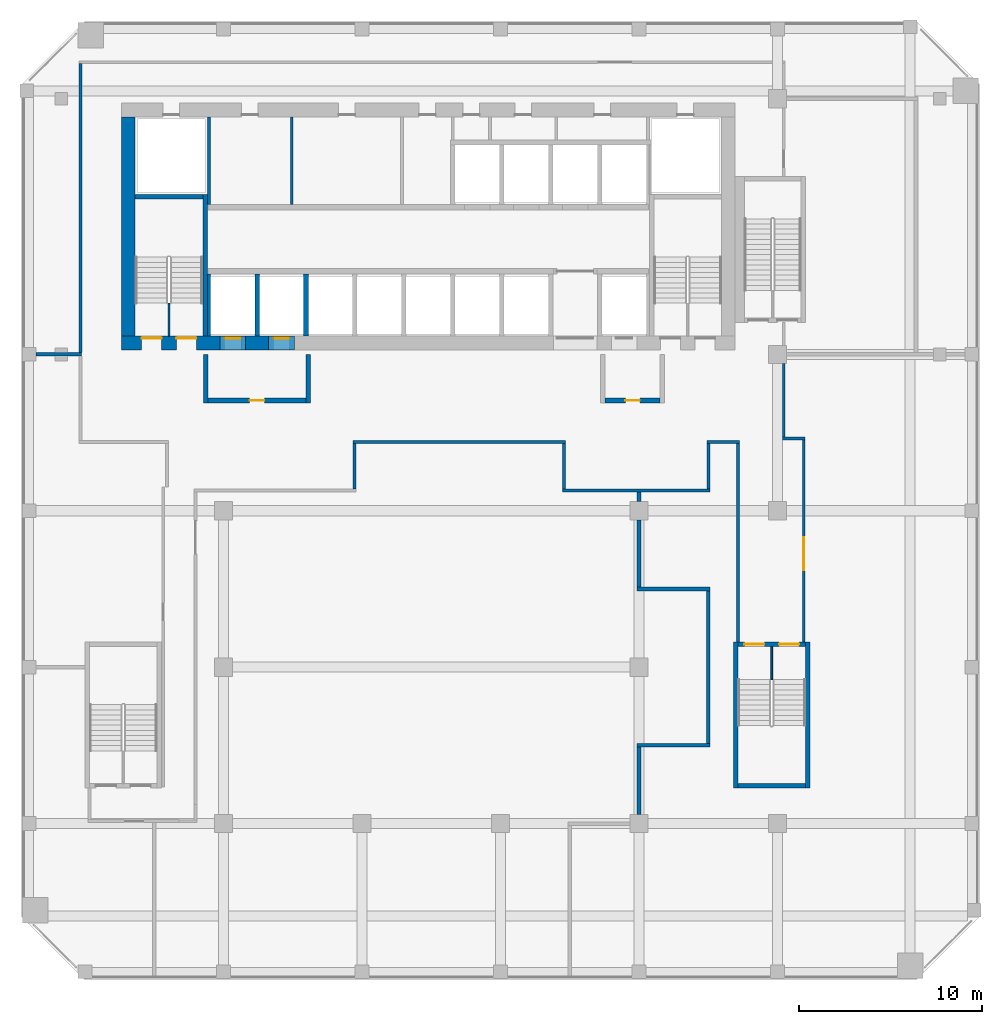
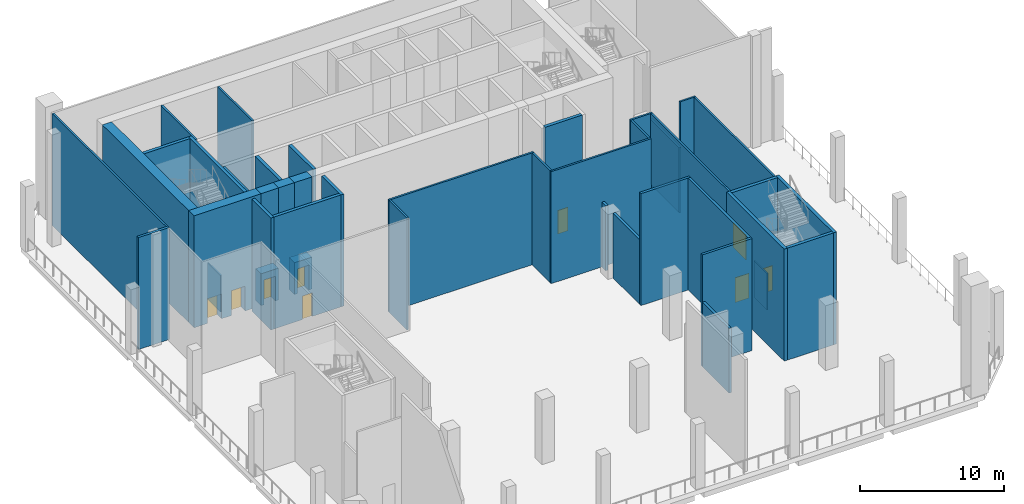
# One storey, part 3 of 12: 42 walls, 9 doors, 9 openings.
"""IFC4 building model written with IfcOpenShell, lengths in metres."""

from ifc_helpers import new_model, si_unit, direction, frame, frame_2d, origin, place, context, subcontext, project, spatial, rectangle, extrude, source, transform, mapped, material, layer, layer_set, type_object, element, fill, save


model = new_model("IFC4")

# Units and contexts
model_context = context("Model", 3, precision=1e-05, world=origin(), true_north=direction((0.0, 1.0)))
body_context = subcontext(model_context, "Body", "Model", "MODEL_VIEW")
ifc_project = project(units=[si_unit("LENGTHUNIT", "METRE"), si_unit("AREAUNIT", "SQUARE_METRE"), si_unit("VOLUMEUNIT", "CUBIC_METRE"), si_unit("PLANEANGLEUNIT", "RADIAN"), si_unit("MASSUNIT", "GRAM", prefix="KILO")], contexts=[model_context])

# Site, building, storey
site_placement = place(None, origin())
site = spatial("IfcSite", under=ifc_project, at=site_placement, CompositionType="ELEMENT")
building_placement = place(site_placement, origin())
building = spatial("IfcBuilding", under=site, at=building_placement, Name="Kilnfold Tower and Market Hall", CompositionType="ELEMENT")
storey_placement = place(building_placement, frame((0.0, 0.0, 223.699951171875)))
storey = spatial("IfcBuildingStorey", under=building, at=storey_placement, Name="L55 Refuge Wind Floor", CompositionType="ELEMENT", Elevation=223.699951171875)

# Walls
ifc_material_1 = material(Name="Gypsum board on steel studs", Category="steel")
ifc_layer_1 = layer(ifc_material_1, 0.14990234375)
ifc_layer_set_1 = layer_set([ifc_layer_1], Name="Gypsum board on steel studs")
wall_type_1 = type_object("IfcWallType", Name="WALL CORRIDOR 150", PredefinedType="PARTITIONING", material=ifc_layer_set_1)
wall_1_placement = place(storey_placement, frame((8.405029296875, 0.550048828125, 0.0), z_axis=(0.0, 0.0, 1.0), x_axis=(1.0, 0.0, 0.0)))
element("IfcWall", 1, at=wall_1_placement, inside=storey, type_object=wall_type_1, Name="Partition LY33.5", PredefinedType="PARTITIONING", context=body_context, shape_type="SweptSolid", body=[
    extrude(rectangle(XDim=8.050048828125, YDim=0.14990234375, at=frame_2d((4.02490234375, 0.0))), origin(), (0.0, 0.0, 1.0), 9.5),
])
wall_2_placement = place(storey_placement, frame((8.47998046875, 3.125, 0.0), z_axis=(0.0, 0.0, 1.0), x_axis=(0.0, -1.0, 0.0)))
element("IfcWall", 2, at=wall_2_placement, inside=storey, type_object=wall_type_1, Name="Partition LY33.6", PredefinedType="PARTITIONING", context=body_context, shape_type="SweptSolid", body=[
    extrude(rectangle(XDim=2.5, YDim=0.14990234375, at=frame_2d((1.25, 0.0))), origin(), (0.0, 0.0, 1.0), 9.5),
])
wall_3_placement = place(storey_placement, frame((-3.074951171875, 3.199951171875, 0.0), z_axis=(0.0, 0.0, 1.0), x_axis=(1.0, 0.0, 0.0)))
element("IfcWall", 3, at=wall_3_placement, inside=storey, type_object=wall_type_1, Name="Partition LY33.7", PredefinedType="PARTITIONING", context=body_context, shape_type="SweptSolid", body=[
    extrude(rectangle(XDim=11.6298828125, YDim=0.14990234375, at=frame_2d((5.81494140625, 0.0))), origin(), (0.0, 0.0, 1.0), 9.5),
])
wall_4_placement = place(storey_placement, frame((-3.0, 0.625, 0.0), z_axis=(0.0, 0.0, 1.0), x_axis=(0.0, 1.0, 0.0)))
element("IfcWall", 4, at=wall_4_placement, inside=storey, type_object=wall_type_1, Name="Partition LY33.8", PredefinedType="PARTITIONING", context=body_context, shape_type="SweptSolid", body=[
    extrude(rectangle(XDim=2.5, YDim=0.14990234375, at=frame_2d((1.25, 0.0))), origin(), (0.0, 0.0, 1.0), 9.5),
])
wall_5_placement = place(storey_placement, frame((20.5, 3.47509765625, 0.0), z_axis=(0.0, 0.0, 1.0), x_axis=(0.0, 1.0, 0.0)))
element("IfcWall", 5, at=wall_5_placement, inside=storey, type_object=wall_type_1, Name="Partition LY33.15", PredefinedType="PARTITIONING", context=body_context, shape_type="SweptSolid", body=[
    extrude(rectangle(XDim=4.02490234375, YDim=0.14990234375, at=frame_2d((2.012451171875, 0.0))), origin(), (0.0, 0.0, 1.0), 5.5),
])
wall_6_placement = place(storey_placement, frame((21.675048828125, 3.39990234375, 0.0), z_axis=(0.0, 0.0, 1.0), x_axis=(-1.0, 0.0, 0.0)))
element("IfcWall", 6, at=wall_6_placement, inside=storey, type_object=wall_type_1, Name="Partition LY33.16", PredefinedType="PARTITIONING", context=body_context, shape_type="SweptSolid", body=[
    extrude(rectangle(XDim=1.25, YDim=0.14990234375, at=frame_2d((0.625, 0.0))), origin(), (0.0, 0.0, 1.0), 9.5),
])

# Wall, opening, door
wall_7_placement = place(storey_placement, frame((21.60009765625, -7.75, 0.0), z_axis=(0.0, 0.0, 1.0), x_axis=(0.0, 1.0, 0.0)))
wall_7 = element("IfcWall", 7, at=wall_7_placement, inside=storey, type_object=wall_type_1, Name="Partition LY33.17", PredefinedType="PARTITIONING", context=body_context, shape_type="SweptSolid", body=[
    extrude(rectangle(XDim=11.074951171875, YDim=0.14990234375, at=frame_2d((5.53759765625, 0.0))), origin(), (0.0, 0.0, 1.0), 9.5),
])
opening_1_placement = place(wall_7_placement, frame((3.931884765625, 0.0, 0.0)))
opening_1 = element("IfcOpeningElement", 8, at=opening_1_placement, cuts=wall_7, Name="Opening D5", PredefinedType="OPENING", context=body_context, shape_type="SweptSolid", body=[
    extrude(rectangle(XDim=1.800048828125, YDim=2.10009765625, at=frame_2d((0.89990234375, 1.050048828125))), frame((0.0, 0.0849609375, 0.0), z_axis=(0.0, -1.0, 0.0), x_axis=(1.0, 0.0, 0.0)), (0.0, 0.0, 1.0), 0.169921875),
])
ifc_material_2 = material(Name="Timber veneer door leaf in steel frame", Category="steel")
door_type_1 = type_object("IfcDoorType", Name="DOOR DOUBLE 1800 X2100", OperationType="NOTDEFINED", PredefinedType="DOOR", material=ifc_material_2)
door_1_placement = place(opening_1_placement, origin())
door_1 = element("IfcDoor", 9, at=door_1_placement, inside=storey, type_object=door_type_1, Name="Door D5", OperationType="DOUBLE_DOOR_SINGLE_SWING", OverallHeight=2.10009765625, OverallWidth=1.800048828125, PredefinedType="DOOR", context=body_context, shape_type="SweptSolid", body=[
    extrude(rectangle(XDim=1.800048828125, YDim=2.10009765625, at=frame_2d((0.89990234375, 1.050048828125))), frame((0.0, 0.02490234375, 0.0), z_axis=(0.0, -1.0, 0.0), x_axis=(1.0, 0.0, 0.0)), (0.0, 0.0, 1.0), 0.050048828125),
])
fill(opening_1, door_1)

# Walls
wall_8_placement = place(storey_placement, frame((18.0, 3.125, 0.0), z_axis=(0.0, 0.0, 1.0), x_axis=(0.0, -1.0, 0.0)))
element("IfcWall", 10, at=wall_8_placement, inside=storey, type_object=wall_type_1, Name="Partition LY33.18", PredefinedType="PARTITIONING", context=body_context, shape_type="SweptSolid", body=[
    extrude(rectangle(XDim=10.875, YDim=0.14990234375, at=frame_2d((5.4375, 0.0))), origin(), (0.0, 0.0, 1.0), 9.5),
])
wall_9_placement = place(storey_placement, frame((16.304931640625, 3.199951171875, 0.0), z_axis=(0.0, 0.0, 1.0), x_axis=(1.0, 0.0, 0.0)))
element("IfcWall", 11, at=wall_9_placement, inside=storey, type_object=wall_type_1, Name="Partition LY33.19", PredefinedType="PARTITIONING", context=body_context, shape_type="SweptSolid", body=[
    extrude(rectangle(XDim=1.77001953125, YDim=0.14990234375, at=frame_2d((0.885009765625, 0.0))), origin(), (0.0, 0.0, 1.0), 9.5),
])
wall_10_placement = place(storey_placement, frame((16.3798828125, 0.625, 0.0), z_axis=(0.0, 0.0, 1.0), x_axis=(0.0, 1.0, 0.0)))
element("IfcWall", 12, at=wall_10_placement, inside=storey, type_object=wall_type_1, Name="Partition LY33.20", PredefinedType="PARTITIONING", context=body_context, shape_type="SweptSolid", body=[
    extrude(rectangle(XDim=2.5, YDim=0.14990234375, at=frame_2d((1.25, 0.0))), origin(), (0.0, 0.0, 1.0), 9.5),
])
wall_11_placement = place(storey_placement, frame((-18.0, 8.090087890625, 0.0), z_axis=(0.0, 0.0, 1.0), x_axis=(0.0, 1.0, 0.0)))
element("IfcWall", 13, at=wall_11_placement, inside=storey, type_object=wall_type_1, Name="Partition LY33.23", PredefinedType="PARTITIONING", context=body_context, shape_type="SweptSolid", body=[
    extrude(rectangle(XDim=15.8349609375, YDim=0.14990234375, at=frame_2d((7.91748046875, 0.0))), origin(), (0.0, 0.0, 1.0), 9.5),
])
ifc_material_3 = material(Name="Gypsum board on steel studs", Category="steel")
ifc_layer_2 = layer(ifc_material_3, 0.199951171875)
ifc_layer_set_2 = layer_set([ifc_layer_2], Name="Gypsum board on steel studs")
wall_type_2 = type_object("IfcWallType", Name="WALL PARTY 200", PredefinedType="PARTITIONING", material=ifc_layer_set_2)
wall_12_placement = place(storey_placement, frame((-20.425048828125, 8.0, 0.0), z_axis=(0.0, 0.0, 1.0), x_axis=(1.0, 0.0, 0.0)))
element("IfcWall", 14, at=wall_12_placement, inside=storey, type_object=wall_type_2, Name="Partition LY33.27", PredefinedType="PARTITIONING", context=body_context, shape_type="SweptSolid", body=[
    extrude(rectangle(XDim=2.498046875, YDim=0.199951171875, at=frame_2d((1.2490234375, 0.0))), origin(), (0.0, 0.0, 1.0), 9.5),
])
wall_13_placement = place(storey_placement, frame((12.5830078125, -0.06201171875, 0.0), z_axis=(0.0, 0.0, 1.0), x_axis=(0.0, 1.0, 0.0)))
element("IfcWall", 15, at=wall_13_placement, inside=storey, type_object=wall_type_2, Name="Partition LY33.29", PredefinedType="PARTITIONING", context=body_context, shape_type="SweptSolid", body=[
    extrude(rectangle(XDim=0.534912109375, YDim=0.199951171875, at=frame_2d((0.267578125, 0.0))), origin(), (0.0, 0.0, 1.0), 5.5),
])
wall_14_placement = place(storey_placement, frame((12.5830078125, -4.742919921875, 0.0), z_axis=(0.0, 0.0, 1.0), x_axis=(0.0, 1.0, 0.0)))
element("IfcWall", 16, at=wall_14_placement, inside=storey, type_object=wall_type_2, Name="Partition LY33.30", PredefinedType="PARTITIONING", context=body_context, shape_type="SweptSolid", body=[
    extrude(rectangle(XDim=3.680908203125, YDim=0.199951171875, at=frame_2d((1.84033203125, 0.0))), origin(), (0.0, 0.0, 1.0), 5.5),
])
wall_15_placement = place(storey_placement, frame((16.47509765625, -4.843017578125, 0.0), z_axis=(0.0, 0.0, 1.0), x_axis=(-1.0, 0.0, 0.0)))
element("IfcWall", 17, at=wall_15_placement, inside=storey, type_object=wall_type_2, Name="Partition LY33.31", PredefinedType="PARTITIONING", context=body_context, shape_type="SweptSolid", body=[
    extrude(rectangle(XDim=3.9921875, YDim=0.199951171875, at=frame_2d((1.99609375, 0.0))), origin(), (0.0, 0.0, 1.0), 9.5),
])
wall_16_placement = place(storey_placement, frame((16.375, -13.305908203125, 0.0), z_axis=(0.0, 0.0, 1.0), x_axis=(0.0, 1.0, 0.0)))
element("IfcWall", 18, at=wall_16_placement, inside=storey, type_object=wall_type_2, Name="Partition LY33.32", PredefinedType="PARTITIONING", context=body_context, shape_type="SweptSolid", body=[
    extrude(rectangle(XDim=8.36279296875, YDim=0.199951171875, at=frame_2d((4.181396484375, 0.0))), origin(), (0.0, 0.0, 1.0), 9.5),
])
wall_17_placement = place(storey_placement, frame((12.48291015625, -13.406005859375, 0.0), z_axis=(0.0, 0.0, 1.0), x_axis=(1.0, 0.0, 0.0)))
element("IfcWall", 19, at=wall_17_placement, inside=storey, type_object=wall_type_2, Name="Partition LY33.33", PredefinedType="PARTITIONING", context=body_context, shape_type="SweptSolid", body=[
    extrude(rectangle(XDim=3.9921875, YDim=0.199951171875, at=frame_2d((1.99609375, 0.0))), origin(), (0.0, 0.0, 1.0), 9.5),
])
wall_18_placement = place(storey_placement, frame((12.5830078125, -17.18701171875, 0.0), z_axis=(0.0, 0.0, 1.0), x_axis=(0.0, 1.0, 0.0)))
element("IfcWall", 20, at=wall_18_placement, inside=storey, type_object=wall_type_2, Name="Partition LY33.34", PredefinedType="PARTITIONING", context=body_context, shape_type="SweptSolid", body=[
    extrude(rectangle(XDim=3.680908203125, YDim=0.199951171875, at=frame_2d((1.84033203125, 0.0))), origin(), (0.0, 0.0, 1.0), 5.5),
])
ifc_material_4 = material(Name="Concrete C60", Category="concrete")
ifc_layer_3 = layer(ifc_material_4, 0.25)
ifc_layer_set_3 = layer_set([ifc_layer_3], Name="Concrete C60")
wall_type_3 = type_object("IfcWallType", Name="CORE WALL 250 C60", PredefinedType="SHEAR", material=ifc_layer_set_3)
shared_shape_1 = source(origin(), body_context, "Body", "SweptSolid", [
    extrude(rectangle(XDim=7.75, YDim=0.25, at=frame_2d((3.875, 0.0))), origin(), (0.0, 0.0, 1.0), 9.5),
])
wall_19_placement = place(storey_placement, frame((-11.175048828125, 9.0, 0.0), z_axis=(0.0, 0.0, 1.0), x_axis=(0.0, 1.0, 0.0)))
element("IfcWall", 21, at=wall_19_placement, inside=storey, type_object=wall_type_3, Name="Stair enclosure ST1", PredefinedType="SHEAR", context=body_context, shape_type="MappedRepresentation", body=[
    mapped(shared_shape_1, transform((0.0, 0.0, 0.0))),
])
shared_shape_2 = source(origin(), body_context, "Body", "SweptSolid", [
    extrude(rectangle(XDim=3.699951171875, YDim=0.25, at=frame_2d((1.85009765625, 0.0))), origin(), (0.0, 0.0, 1.0), 9.5),
])
for number, where, z_axis, x_axis, name in (
    (22, (-15.0, 16.625, 0.0), (0.0, 0.0, 1.0), (1.0, 0.0, 0.0), "Stair enclosure ST1"),
    (23, (18.0, -15.625, 0.0), (0.0, 0.0, 1.0), (1.0, 0.0, 0.0), "Stair enclosure ST4"),
):
    element("IfcWall", number, at=place(storey_placement, frame(where, z_axis=z_axis, x_axis=x_axis)), inside=storey, type_object=wall_type_3, Name=name, PredefinedType="SHEAR", context=body_context, shape_type="MappedRepresentation", body=[
        mapped(shared_shape_2, transform((0.0, 0.0, 0.0))),
    ])

# Wall, openings, doors
wall_20_placement = place(storey_placement, frame((18.0, -7.875, 0.0), z_axis=(0.0, 0.0, 1.0), x_axis=(1.0, 0.0, 0.0)))
wall_20 = element("IfcWall", 24, at=wall_20_placement, inside=storey, type_object=wall_type_3, Name="Stair enclosure ST4", PredefinedType="SHEAR", context=body_context, shape_type="MappedRepresentation", body=[
    mapped(shared_shape_2, transform((0.0, 0.0, 0.0))),
])
opening_2_placement = place(wall_20_placement, frame((2.25, 0.0, 0.0)))
opening_2 = element("IfcOpeningElement", 25, at=opening_2_placement, cuts=wall_20, Name="Opening SD3", PredefinedType="OPENING", context=body_context, shape_type="SweptSolid", body=[
    extrude(rectangle(XDim=1.10009765625, YDim=2.10009765625, at=frame_2d((0.550048828125, 1.050048828125))), frame((0.0, 0.135009765625, 0.0), z_axis=(0.0, -1.0, 0.0), x_axis=(1.0, 0.0, 0.0)), (0.0, 0.0, 1.0), 0.27001953125),
])
opening_3_placement = place(wall_20_placement, frame((0.35009765625, 0.0, 0.0)))
opening_3 = element("IfcOpeningElement", 26, at=opening_3_placement, cuts=wall_20, Name="Opening SD3", PredefinedType="OPENING", context=body_context, shape_type="SweptSolid", body=[
    extrude(rectangle(XDim=1.10009765625, YDim=2.10009765625, at=frame_2d((0.550048828125, 1.050048828125))), frame((0.0, 0.135009765625, 0.0), z_axis=(0.0, -1.0, 0.0), x_axis=(1.0, 0.0, 0.0)), (0.0, 0.0, 1.0), 0.27001953125),
])
ifc_material_5 = material(Name="Steel door set with fire-resisting leaf", Category="steel")
door_type_2 = type_object("IfcDoorType", Name="STAIR REFUGE DOOR 1100X2100", OperationType="NOTDEFINED", PredefinedType="DOOR", material=ifc_material_5)
door_2_placement = place(opening_2_placement, origin())
door_2 = element("IfcDoor", 27, at=door_2_placement, inside=storey, type_object=door_type_2, Name="Exit stair ST4 door from refuge", OperationType="SINGLE_SWING_RIGHT", OverallHeight=2.10009765625, OverallWidth=1.10009765625, PredefinedType="DOOR", context=body_context, shape_type="SweptSolid", body=[
    extrude(rectangle(XDim=1.10009765625, YDim=2.10009765625, at=frame_2d((0.550048828125, 1.050048828125))), frame((0.0, 0.02490234375, 0.0), z_axis=(0.0, -1.0, 0.0), x_axis=(1.0, 0.0, 0.0)), (0.0, 0.0, 1.0), 0.050048828125),
])
fill(opening_2, door_2)
door_3_placement = place(opening_3_placement, origin())
door_3 = element("IfcDoor", 28, at=door_3_placement, inside=storey, type_object=door_type_2, Name="Exit stair ST4 door to refuge", OperationType="SINGLE_SWING_LEFT", OverallHeight=2.10009765625, OverallWidth=1.10009765625, PredefinedType="DOOR", context=body_context, shape_type="SweptSolid", body=[
    extrude(rectangle(XDim=1.10009765625, YDim=2.10009765625, at=frame_2d((0.550048828125, 1.050048828125))), frame((0.0, 0.02490234375, 0.0), z_axis=(0.0, -1.0, 0.0), x_axis=(1.0, 0.0, 0.0)), (0.0, 0.0, 1.0), 0.050048828125),
])
fill(opening_3, door_3)

# Walls
shared_shape_3 = source(origin(), body_context, "Body", "SweptSolid", [
    extrude(rectangle(XDim=8.0, YDim=0.25, at=frame_2d((4.0, 0.0))), origin(), (0.0, 0.0, 1.0), 9.5),
])
for number, where, z_axis, x_axis, name in (
    (29, (17.875, -15.75, 0.0), (0.0, 0.0, 1.0), (0.0, 1.0, 0.0), "Stair enclosure ST4"),
    (30, (21.824951171875, -15.75, 0.0), (0.0, 0.0, 1.0), (0.0, 1.0, 0.0), "Stair enclosure ST4"),
):
    element("IfcWall", number, at=place(storey_placement, frame(where, z_axis=z_axis, x_axis=x_axis)), inside=storey, type_object=wall_type_3, Name=name, PredefinedType="SHEAR", context=body_context, shape_type="MappedRepresentation", body=[
        mapped(shared_shape_3, transform((0.0, 0.0, 0.0))),
    ])

# Wall, openings, doors
ifc_material_6 = material(Name="Concrete C60", Category="concrete")
ifc_layer_4 = layer(ifc_material_6, 0.75)
ifc_layer_set_4 = layer_set([ifc_layer_4], Name="Concrete C60")
wall_type_4 = type_object("IfcWallType", Name="CORE WALL 750 C60", PredefinedType="SHEAR", material=ifc_layer_set_4)
shared_shape_4 = source(origin(), body_context, "Body", "SweptSolid", [
    extrude(rectangle(XDim=5.3798828125, YDim=0.75, at=frame_2d((2.68994140625, 0.0))), origin(), (0.0, 0.0, 1.0), 9.5),
])
wall_21_placement = place(storey_placement, frame((-15.75, 8.625, 0.0), z_axis=(0.0, 0.0, 1.0), x_axis=(1.0, 0.0, 0.0)))
wall_21 = element("IfcWall", 31, at=wall_21_placement, inside=storey, type_object=wall_type_4, Name="Core outer wall south", PredefinedType="SHEAR", context=body_context, shape_type="MappedRepresentation", body=[
    mapped(shared_shape_4, transform((0.0, 0.0, 0.0))),
])
opening_4_placement = place(wall_21_placement, frame((1.10009765625, 0.0, 0.0)))
opening_4 = element("IfcOpeningElement", 32, at=opening_4_placement, cuts=wall_21, Name="Opening SD3", PredefinedType="OPENING", context=body_context, shape_type="SweptSolid", body=[
    extrude(rectangle(XDim=1.10009765625, YDim=2.10009765625, at=frame_2d((0.550048828125, 1.050048828125))), frame((0.0, 0.385009765625, 0.0), z_axis=(0.0, -1.0, 0.0), x_axis=(1.0, 0.0, 0.0)), (0.0, 0.0, 1.0), 0.77001953125),
])
opening_5_placement = place(wall_21_placement, frame((3.0, 0.0, 0.0)))
opening_5 = element("IfcOpeningElement", 33, at=opening_5_placement, cuts=wall_21, Name="Opening SD3", PredefinedType="OPENING", context=body_context, shape_type="SweptSolid", body=[
    extrude(rectangle(XDim=1.10009765625, YDim=2.10009765625, at=frame_2d((0.550048828125, 1.050048828125))), frame((0.0, 0.385009765625, 0.0), z_axis=(0.0, -1.0, 0.0), x_axis=(1.0, 0.0, 0.0)), (0.0, 0.0, 1.0), 0.77001953125),
])
door_4_placement = place(opening_4_placement, origin())
door_4 = element("IfcDoor", 34, at=door_4_placement, inside=storey, type_object=door_type_2, Name="Exit stair ST1 door from refuge", OperationType="SINGLE_SWING_RIGHT", OverallHeight=2.10009765625, OverallWidth=1.10009765625, PredefinedType="DOOR", context=body_context, shape_type="SweptSolid", body=[
    extrude(rectangle(XDim=1.10009765625, YDim=2.10009765625, at=frame_2d((0.550048828125, 1.050048828125))), frame((0.0, 0.27978515625, 0.0), z_axis=(0.0, -1.0, 0.0), x_axis=(1.0, 0.0, 0.0)), (0.0, 0.0, 1.0), 0.050048828125),
])
fill(opening_4, door_4)
door_5_placement = place(opening_5_placement, origin())
door_5 = element("IfcDoor", 35, at=door_5_placement, inside=storey, type_object=door_type_2, Name="Exit stair ST1 door to refuge", OperationType="SINGLE_SWING_LEFT", OverallHeight=2.10009765625, OverallWidth=1.10009765625, PredefinedType="DOOR", context=body_context, shape_type="SweptSolid", body=[
    extrude(rectangle(XDim=1.10009765625, YDim=2.10009765625, at=frame_2d((0.550048828125, 1.050048828125))), frame((0.0, 0.27978515625, 0.0), z_axis=(0.0, -1.0, 0.0), x_axis=(1.0, 0.0, 0.0)), (0.0, 0.0, 1.0), 0.050048828125),
])
fill(opening_5, door_5)

# Walls
shared_shape_5 = source(origin(), body_context, "Body", "SweptSolid", [
    extrude(rectangle(XDim=1.280029296875, YDim=0.75, at=frame_2d((0.64013671875, 0.0))), origin(), (0.0, 0.0, 1.0), 9.5),
])
wall_22_placement = place(storey_placement, frame((-8.969970703125, 8.625, 0.0), z_axis=(0.0, 0.0, 1.0), x_axis=(1.0, 0.0, 0.0)))
element("IfcWall", 36, at=wall_22_placement, inside=storey, type_object=wall_type_4, Name="Core outer wall south", PredefinedType="SHEAR", context=body_context, shape_type="MappedRepresentation", body=[
    mapped(shared_shape_5, transform((0.0, 0.0, 0.0))),
])
shared_shape_6 = source(origin(), body_context, "Body", "SweptSolid", [
    extrude(rectangle(XDim=12.0, YDim=0.75, at=frame_2d((6.0, 0.0))), origin(), (0.0, 0.0, 1.0), 9.5),
])
wall_23_placement = place(storey_placement, frame((-15.375, 9.0, 0.0), z_axis=(0.0, 0.0, 1.0), x_axis=(0.0, 1.0, 0.0)))
element("IfcWall", 37, at=wall_23_placement, inside=storey, type_object=wall_type_4, Name="Core outer wall west", PredefinedType="SHEAR", context=body_context, shape_type="MappedRepresentation", body=[
    mapped(shared_shape_6, transform((0.0, 0.0, 0.0))),
])
shared_shape_7 = source(origin(), body_context, "Body", "SweptSolid", [
    extrude(rectangle(XDim=1.400146484375, YDim=0.75, at=frame_2d((0.7001953125, 0.0))), origin(), (0.0, 0.0, 1.0), 5.599853515625),
])
wall_24_placement = place(storey_placement, frame((-10.3701171875, 8.625, 3.900146484375), z_axis=(0.0, 0.0, 1.0), x_axis=(1.0, 0.0, 0.0)))
element("IfcWall", 38, at=wall_24_placement, inside=storey, type_object=wall_type_4, Name="Core wall over opening", PredefinedType="SHEAR", context=body_context, shape_type="MappedRepresentation", body=[
    mapped(shared_shape_7, transform((0.0, 0.0, 0.0))),
])
shared_shape_8 = source(origin(), body_context, "Body", "SweptSolid", [
    extrude(rectangle(XDim=1.39990234375, YDim=0.75, at=frame_2d((0.699951171875, 0.0))), origin(), (0.0, 0.0, 1.0), 5.550048828125),
])
wall_25_placement = place(storey_placement, frame((-7.68994140625, 8.625, 3.949951171875), z_axis=(0.0, 0.0, 1.0), x_axis=(1.0, 0.0, 0.0)))
element("IfcWall", 39, at=wall_25_placement, inside=storey, type_object=wall_type_4, Name="Core wall over opening", PredefinedType="SHEAR", context=body_context, shape_type="MappedRepresentation", body=[
    mapped(shared_shape_8, transform((0.0, 0.0, 0.0))),
])
ifc_material_7 = material(Name="Gypsum shaft wall system")
ifc_layer_5 = layer(ifc_material_7, 0.25)
ifc_layer_set_5 = layer_set([ifc_layer_5], Name="Gypsum shaft wall system")
wall_type_5 = type_object("IfcWallType", Name="LOBBY WALL 250", PredefinedType="PARTITIONING", material=ifc_layer_set_5)
shared_shape_9 = source(origin(), body_context, "Body", "SweptSolid", [
    extrude(rectangle(XDim=2.64990234375, YDim=0.25, at=frame_2d((1.324951171875, 0.0))), origin(), (0.0, 0.0, 1.0), 9.5),
])
for number, where, z_axis, x_axis, name in (
    (40, (-11.135009765625, 5.35009765625, 0.0), (0.0, 0.0, 1.0), (0.0, 1.0, 0.0), "Firefighting lobby wall"),
    (41, (-5.52490234375, 5.35009765625, 0.0), (0.0, 0.0, 1.0), (0.0, 1.0, 0.0), "Firefighting lobby wall"),
):
    element("IfcWall", number, at=place(storey_placement, frame(where, z_axis=z_axis, x_axis=x_axis)), inside=storey, type_object=wall_type_5, Name=name, PredefinedType="PARTITIONING", context=body_context, shape_type="MappedRepresentation", body=[
        mapped(shared_shape_9, transform((0.0, 0.0, 0.0))),
    ])
ifc_material_8 = material(Name="Gypsum shaft wall system")
ifc_layer_6 = layer(ifc_material_8, 0.1650390625)
ifc_layer_set_6 = layer_set([ifc_layer_6], Name="Gypsum shaft wall system")
wall_type_6 = type_object("IfcWallType", Name="SHAFT WALL 165", PredefinedType="PARTITIONING", material=ifc_layer_set_6)
shared_shape_10 = source(origin(), body_context, "Body", "SweptSolid", [
    extrude(rectangle(XDim=4.800048828125, YDim=0.1650390625, at=frame_2d((2.39990234375, 0.0))), origin(), (0.0, 0.0, 1.0), 9.5),
])
wall_26_placement = place(storey_placement, frame((-10.967529296875, 16.199951171875, 0.0), z_axis=(0.0, 0.0, 1.0), x_axis=(0.0, 1.0, 0.0)))
element("IfcWall", 42, at=wall_26_placement, inside=storey, type_object=wall_type_6, Name="Lift shaft wall", PredefinedType="PARTITIONING", context=body_context, shape_type="MappedRepresentation", body=[
    mapped(shared_shape_10, transform((0.0, 0.0, 0.0))),
])
ifc_material_9 = material(Name="Gypsum shaft wall system")
ifc_layer_7 = layer(ifc_material_9, 0.25)
ifc_layer_set_7 = layer_set([ifc_layer_7], Name="Gypsum shaft wall system")
wall_type_7 = type_object("IfcWallType", Name="SHAFT WALL 250", PredefinedType="PARTITIONING", material=ifc_layer_set_7)
shared_shape_11 = source(origin(), body_context, "Body", "SweptSolid", [
    extrude(rectangle(XDim=3.39990234375, YDim=0.25, at=frame_2d((1.699951171875, 0.0))), origin(), (0.0, 0.0, 1.0), 9.5),
])
for number, where, z_axis, x_axis, name in (
    (43, (-5.64990234375, 9.0, 0.0), (0.0, 0.0, 1.0), (0.0, 1.0, 0.0), "Lift shaft wall"),
    (44, (-8.330078125, 9.0, 0.0), (0.0, 0.0, 1.0), (0.0, 1.0, 0.0), "Lift shaft wall"),
):
    element("IfcWall", number, at=place(storey_placement, frame(where, z_axis=z_axis, x_axis=x_axis)), inside=storey, type_object=wall_type_7, Name=name, PredefinedType="PARTITIONING", context=body_context, shape_type="MappedRepresentation", body=[
        mapped(shared_shape_11, transform((0.0, 0.0, 0.0))),
    ])
shared_shape_12 = source(origin(), body_context, "Body", "SweptSolid", [
    extrude(rectangle(XDim=3.39990234375, YDim=0.1650390625, at=frame_2d((1.699951171875, 0.0))), origin(), (0.0, 0.0, 1.0), 9.5),
])
wall_27_placement = place(storey_placement, frame((-10.967529296875, 9.0, 0.0), z_axis=(0.0, 0.0, 1.0), x_axis=(0.0, 1.0, 0.0)))
element("IfcWall", 45, at=wall_27_placement, inside=storey, type_object=wall_type_6, Name="Lift shaft wall", PredefinedType="PARTITIONING", context=body_context, shape_type="MappedRepresentation", body=[
    mapped(shared_shape_12, transform((0.0, 0.0, 0.0))),
])

# Wall, opening, door
ifc_material_10 = material(Name="Gypsum shaft wall system")
ifc_layer_8 = layer(ifc_material_10, 0.75)
ifc_layer_set_8 = layer_set([ifc_layer_8], Name="Gypsum shaft wall system")
wall_type_8 = type_object("IfcWallType", Name="LOBBY WALL 750", PredefinedType="PARTITIONING", material=ifc_layer_set_8)
shared_shape_13 = source(origin(), body_context, "Body", "SweptSolid", [
    extrude(rectangle(XDim=1.400146484375, YDim=0.75, at=frame_2d((0.7001953125, 0.0))), origin(), (0.0, 0.0, 1.0), 2.699951171875),
])
wall_28_placement = place(storey_placement, frame((-10.3701171875, 8.625, 0.0), z_axis=(0.0, 0.0, 1.0), x_axis=(1.0, 0.0, 0.0)))
wall_28 = element("IfcWall", 46, at=wall_28_placement, inside=storey, type_object=wall_type_8, Name="Core wall infill", PredefinedType="PARTITIONING", context=body_context, shape_type="MappedRepresentation", body=[
    mapped(shared_shape_13, transform((0.0, 0.0, 0.0))),
])
opening_6_placement = place(wall_28_placement, frame((0.25, 0.0, 0.0)))
opening_6 = element("IfcOpeningElement", 47, at=opening_6_placement, cuts=wall_28, Name="Opening LD1", PredefinedType="OPENING", context=body_context, shape_type="SweptSolid", body=[
    extrude(rectangle(XDim=0.89990234375, YDim=2.10009765625, at=frame_2d((0.449951171875, 1.050048828125))), frame((0.0, 0.385009765625, 0.0), z_axis=(0.0, -1.0, 0.0), x_axis=(1.0, 0.0, 0.0)), (0.0, 0.0, 1.0), 0.77001953125),
])
ifc_material_11 = material(Name="Steel door set with fire-resisting leaf", Category="steel")
door_type_3 = type_object("IfcDoorType", Name="FIREFIGHTING LANDING DOOR 900X2100", OperationType="NOTDEFINED", PredefinedType="DOOR", material=ifc_material_11)
door_6_placement = place(opening_6_placement, origin())
door_6 = element("IfcDoor", 48, at=door_6_placement, inside=storey, type_object=door_type_3, Name="Landing door FF1", OperationType="SLIDING_TO_LEFT", OverallHeight=2.10009765625, OverallWidth=0.89990234375, PredefinedType="DOOR", context=body_context, shape_type="SweptSolid", body=[
    extrude(rectangle(XDim=0.89990234375, YDim=2.10009765625, at=frame_2d((0.449951171875, 1.050048828125))), frame((0.0, 0.27978515625, 0.0), z_axis=(0.0, -1.0, 0.0), x_axis=(1.0, 0.0, 0.0)), (0.0, 0.0, 1.0), 0.050048828125),
])
fill(opening_6, door_6)

shared_shape_14 = source(origin(), body_context, "Body", "SweptSolid", [
    extrude(rectangle(XDim=1.39990234375, YDim=0.75, at=frame_2d((0.699951171875, 0.0))), origin(), (0.0, 0.0, 1.0), 2.699951171875),
])
wall_29_placement = place(storey_placement, frame((-7.68994140625, 8.625, 0.0), z_axis=(0.0, 0.0, 1.0), x_axis=(1.0, 0.0, 0.0)))
wall_29 = element("IfcWall", 49, at=wall_29_placement, inside=storey, type_object=wall_type_8, Name="Core wall infill", PredefinedType="PARTITIONING", context=body_context, shape_type="MappedRepresentation", body=[
    mapped(shared_shape_14, transform((0.0, 0.0, 0.0))),
])
opening_7_placement = place(wall_29_placement, frame((0.25, 0.0, 0.0)))
opening_7 = element("IfcOpeningElement", 50, at=opening_7_placement, cuts=wall_29, Name="Opening LD1", PredefinedType="OPENING", context=body_context, shape_type="SweptSolid", body=[
    extrude(rectangle(XDim=0.89990234375, YDim=2.10009765625, at=frame_2d((0.449951171875, 1.050048828125))), frame((0.0, 0.385009765625, 0.0), z_axis=(0.0, -1.0, 0.0), x_axis=(1.0, 0.0, 0.0)), (0.0, 0.0, 1.0), 0.77001953125),
])
door_7_placement = place(opening_7_placement, origin())
door_7 = element("IfcDoor", 51, at=door_7_placement, inside=storey, type_object=door_type_3, Name="Landing door FF2", OperationType="SLIDING_TO_RIGHT", OverallHeight=2.10009765625, OverallWidth=0.89990234375, PredefinedType="DOOR", context=body_context, shape_type="SweptSolid", body=[
    extrude(rectangle(XDim=0.89990234375, YDim=2.10009765625, at=frame_2d((0.449951171875, 1.050048828125))), frame((0.0, 0.27978515625, 0.0), z_axis=(0.0, -1.0, 0.0), x_axis=(1.0, 0.0, 0.0)), (0.0, 0.0, 1.0), 0.050048828125),
])
fill(opening_7, door_7)

shared_shape_15 = source(origin(), body_context, "Body", "SweptSolid", [
    extrude(rectangle(XDim=5.360107421875, YDim=0.25, at=frame_2d((2.68017578125, 0.0))), origin(), (0.0, 0.0, 1.0), 9.5),
])
wall_30_placement = place(storey_placement, frame((-11.010009765625, 5.47509765625, 0.0), z_axis=(0.0, 0.0, 1.0), x_axis=(1.0, 0.0, 0.0)))
wall_30 = element("IfcWall", 52, at=wall_30_placement, inside=storey, type_object=wall_type_5, Name="Firefighting lobby wall", PredefinedType="PARTITIONING", context=body_context, shape_type="MappedRepresentation", body=[
    mapped(shared_shape_15, transform((0.0, 0.0, 0.0))),
])
opening_8_placement = place(wall_30_placement, frame((2.280029296875, 0.0, 0.0)))
opening_8 = element("IfcOpeningElement", 53, at=opening_8_placement, cuts=wall_30, Name="Opening VD1", PredefinedType="OPENING", context=body_context, shape_type="SweptSolid", body=[
    extrude(rectangle(XDim=0.800048828125, YDim=2.0, at=frame_2d((0.39990234375, 1.0))), frame((0.0, 0.135009765625, 0.0), z_axis=(0.0, -1.0, 0.0), x_axis=(1.0, 0.0, 0.0)), (0.0, 0.0, 1.0), 0.27001953125),
])
ifc_material_12 = material(Name="Steel door set with fire-resisting leaf", Category="steel")
door_type_4 = type_object("IfcDoorType", Name="FIREFIGHTING LOBBY DOOR 800X2000", OperationType="NOTDEFINED", PredefinedType="DOOR", material=ifc_material_12)
door_8_placement = place(opening_8_placement, origin())
door_8 = element("IfcDoor", 54, at=door_8_placement, inside=storey, type_object=door_type_4, Name="Firefighting lobby door", OperationType="SINGLE_SWING_LEFT", OverallHeight=2.0, OverallWidth=0.800048828125, PredefinedType="DOOR", context=body_context, shape_type="SweptSolid", body=[
    extrude(rectangle(XDim=0.800048828125, YDim=2.0, at=frame_2d((0.39990234375, 1.0))), frame((0.0, 0.02490234375, 0.0), z_axis=(0.0, -1.0, 0.0), x_axis=(1.0, 0.0, 0.0)), (0.0, 0.0, 1.0), 0.050048828125),
])
fill(opening_8, door_8)

shared_shape_16 = source(origin(), body_context, "Body", "SweptSolid", [
    extrude(rectangle(XDim=3.0, YDim=0.25, at=frame_2d((1.5, 0.0))), origin(), (0.0, 0.0, 1.0), 9.5),
])
wall_31_placement = place(storey_placement, frame((10.72998046875, 5.47509765625, 0.0), z_axis=(0.0, 0.0, 1.0), x_axis=(1.0, 0.0, 0.0)))
wall_31 = element("IfcWall", 55, at=wall_31_placement, inside=storey, type_object=wall_type_5, Name="Firefighting lobby wall", PredefinedType="PARTITIONING", context=body_context, shape_type="MappedRepresentation", body=[
    mapped(shared_shape_16, transform((0.0, 0.0, 0.0))),
])
opening_9_placement = place(wall_31_placement, frame((1.10009765625, 0.0, 0.0)))
opening_9 = element("IfcOpeningElement", 56, at=opening_9_placement, cuts=wall_31, Name="Opening VD1", PredefinedType="OPENING", context=body_context, shape_type="SweptSolid", body=[
    extrude(rectangle(XDim=0.800048828125, YDim=2.0, at=frame_2d((0.39990234375, 1.0))), frame((0.0, 0.135009765625, 0.0), z_axis=(0.0, -1.0, 0.0), x_axis=(1.0, 0.0, 0.0)), (0.0, 0.0, 1.0), 0.27001953125),
])
door_9_placement = place(opening_9_placement, origin())
door_9 = element("IfcDoor", 57, at=door_9_placement, inside=storey, type_object=door_type_4, Name="Firefighting lobby door", OperationType="SINGLE_SWING_RIGHT", OverallHeight=2.0, OverallWidth=0.800048828125, PredefinedType="DOOR", context=body_context, shape_type="SweptSolid", body=[
    extrude(rectangle(XDim=0.800048828125, YDim=2.0, at=frame_2d((0.39990234375, 1.0))), frame((0.0, 0.02490234375, 0.0), z_axis=(0.0, -1.0, 0.0), x_axis=(1.0, 0.0, 0.0)), (0.0, 0.0, 1.0), 0.050048828125),
])
fill(opening_9, door_9)

# Walls
ifc_material_13 = material(Name="Gypsum shaft wall system")
ifc_layer_9 = layer(ifc_material_13, 0.14990234375)
ifc_layer_set_9 = layer_set([ifc_layer_9], Name="Gypsum shaft wall system")
wall_type_9 = type_object("IfcWallType", Name="ROOM WALL 150", PredefinedType="PARTITIONING", material=ifc_layer_set_9)
shared_shape_17 = source(origin(), body_context, "Body", "SweptSolid", [
    extrude(rectangle(XDim=4.800048828125, YDim=0.14990234375, at=frame_2d((2.39990234375, 0.0))), origin(), (0.0, 0.0, 1.0), 9.5),
])
wall_32_placement = place(storey_placement, frame((-6.42724609375, 16.199951171875, 0.0), z_axis=(0.0, 0.0, 1.0), x_axis=(0.0, 1.0, 0.0)))
element("IfcWall", 58, at=wall_32_placement, inside=storey, type_object=wall_type_9, Name="Core room wall", PredefinedType="PARTITIONING", context=body_context, shape_type="MappedRepresentation", body=[
    mapped(shared_shape_17, transform((0.0, 0.0, 0.0))),
])
ifc_material_14 = material(Name="Gypsum shaft wall system")
ifc_layer_10 = layer(ifc_material_14, 0.10009765625)
ifc_layer_set_10 = layer_set([ifc_layer_10], Name="Gypsum shaft wall system")
wall_type_10 = type_object("IfcWallType", Name="STAIR PARTITION 100", PredefinedType="PARTITIONING", material=ifc_layer_set_10)
shared_shape_18 = source(origin(), body_context, "Body", "SweptSolid", [
    extrude(rectangle(XDim=1.800048828125, YDim=0.10009765625, at=frame_2d((0.89990234375, 0.0))), origin(), (0.0, 0.0, 1.0), 3.10009765625),
])
for number, where, z_axis, x_axis, name in (
    (59, (-13.14990234375, 9.0, 0.0), (0.0, 0.0, 1.0), (0.0, 1.0, 0.0), "Exit stair ST1 refuge partition"),
    (60, (19.85009765625, -9.800048828125, 0.0), (0.0, 0.0, 1.0), (0.0, 1.0, 0.0), "Exit stair ST4 refuge partition"),
):
    element("IfcWall", number, at=place(storey_placement, frame(where, z_axis=z_axis, x_axis=x_axis)), inside=storey, type_object=wall_type_10, Name=name, PredefinedType="PARTITIONING", context=body_context, shape_type="MappedRepresentation", body=[
        mapped(shared_shape_18, transform((0.0, 0.0, 0.0))),
    ])

save(model, "model.ifc")
